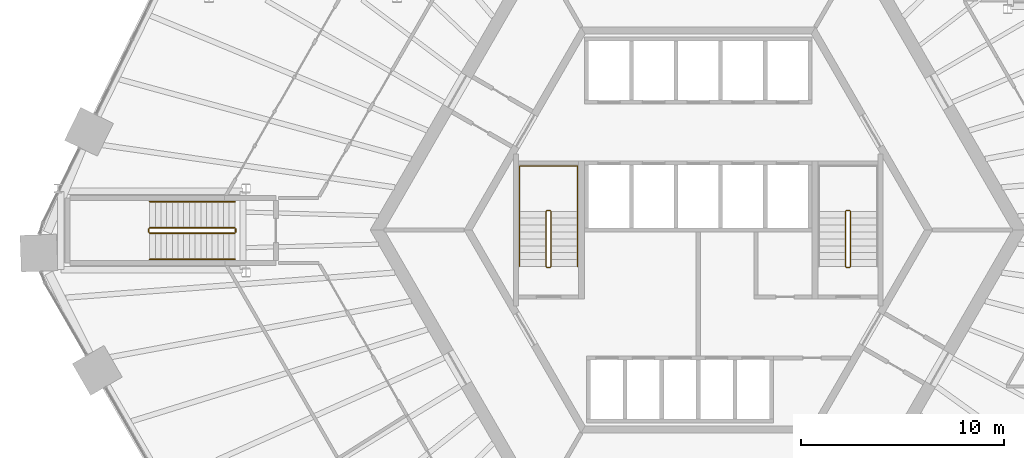
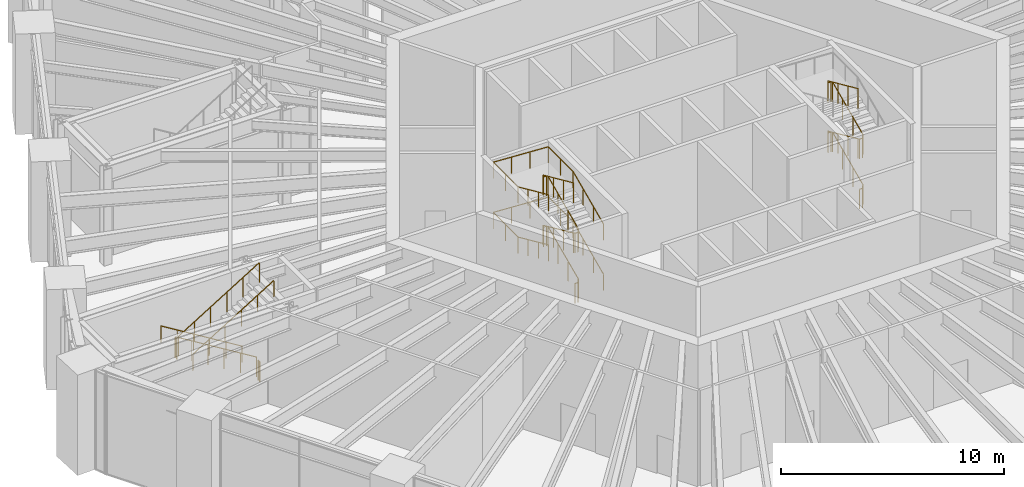
# One storey, part 27 of 30: 10 railings.
"""IFC4 building model written with IfcOpenShell, lengths in metres."""

import ifcopenshell
import ifcopenshell.guid

model = None  # the IFC model being written
_history = None  # IfcOwnerHistory: only IFC2X3 demands one
_inside = {}  # id of a spatial element -> (the spatial element, [elements in it])
_under = {}  # id of a project, library or spatial element -> (it, [spatial elements below it])
_declared = {}  # id of a project -> (the project, [libraries it declares])
_typed = {}  # id of a type object -> (the type object, [elements of that type])
_made_of = {}  # id of a material, layer set ... -> (it, [elements and type objects made of it])


def new_model(schema):
    """Start an empty IFC model of exactly this schema.

    Asked for "IFC4X3", IfcOpenShell would pick the latest addendum, in which some entities
    have other attributes; the version numbers below select the first issue.
    IFC2X3 requires an IfcOwnerHistory on every rooted entity: one is made here for all.
    """
    global model, _history
    if schema == "IFC4X3":
        model = ifcopenshell.file(schema_version=(4, 3, 0, 0))
    else:
        model = ifcopenshell.file(schema=schema)
    _inside.clear()
    _under.clear()
    _declared.clear()
    _typed.clear()
    _made_of.clear()
    _history = None
    if model.schema == "IFC2X3":
        org = make("IfcOrganization", Name="unknown")
        user = make(
            "IfcPersonAndOrganization",
            ThePerson=make("IfcPerson", FamilyName="unknown"),
            TheOrganization=org,
        )
        app = make(
            "IfcApplication",
            ApplicationDeveloper=org,
            Version="unknown",
            ApplicationFullName="unknown",
            ApplicationIdentifier="unknown",
        )
        _history = make(
            "IfcOwnerHistory",
            OwningUser=user,
            OwningApplication=app,
            ChangeAction="ADDED",
            CreationDate=0,
        )
    return model


def make(cls, **values):
    """One entity of the class cls with the attributes given. An attribute that is None is left unset."""
    return model.create_entity(
        cls, **{name: value for name, value in values.items() if value is not None}
    )


def rooted(cls, **values):
    """An entity with a GlobalId (a new one), such as an element, a storey or a relation."""
    return make(cls, GlobalId=ifcopenshell.guid.new(), OwnerHistory=_history, **values)


def si_unit(unit_type, name, prefix=None):
    """IfcSIUnit, for example si_unit("LENGTHUNIT", "METRE", prefix="MILLI")."""
    return make("IfcSIUnit", UnitType=unit_type, Prefix=prefix, Name=name)


def assignment(units):
    """IfcUnitAssignment: the units of a project."""
    return None if units is None else make("IfcUnitAssignment", Units=units)


def point(xyz):
    """IfcCartesianPoint."""
    return None if xyz is None else make("IfcCartesianPoint", Coordinates=xyz)


def direction(xyz):
    """IfcDirection."""
    return None if xyz is None else make("IfcDirection", DirectionRatios=xyz)


def frame(location, z_axis=None, x_axis=None):
    """IfcAxis2Placement3D, a coordinate frame: its origin and axes. An axis left out is left unset."""
    return make(
        "IfcAxis2Placement3D",
        Location=point(location),
        Axis=direction(z_axis),
        RefDirection=direction(x_axis),
    )


def frame_2d(location, x_axis=None):
    """IfcAxis2Placement2D, a coordinate frame in the plane: its origin and x axis."""
    return make(
        "IfcAxis2Placement2D", Location=point(location), RefDirection=direction(x_axis)
    )


def origin():
    """The frame at (0, 0, 0) with its axes left unset."""
    return frame((0.0, 0.0, 0.0))


def origin_2d():
    """The frame at (0, 0) in the plane with its x axis left unset."""
    return frame_2d((0.0, 0.0))


def place(relative_to, where):
    """IfcLocalPlacement: puts the frame where relative to a parent placement (None: the world)."""
    return make(
        "IfcLocalPlacement", PlacementRelTo=relative_to, RelativePlacement=where
    )


def context(
    kind, dimensions, precision=None, world=None, true_north=None, identifier=None
):
    """IfcGeometricRepresentationContext, for example the 3D "Model" context."""
    return make(
        "IfcGeometricRepresentationContext",
        ContextIdentifier=identifier,
        ContextType=kind,
        CoordinateSpaceDimension=dimensions,
        Precision=precision,
        WorldCoordinateSystem=world,
        TrueNorth=true_north,
    )


def subcontext(parent, identifier, kind, view, scale=None):
    """IfcGeometricRepresentationSubContext, for example "Body" below "Model"."""
    return make(
        "IfcGeometricRepresentationSubContext",
        ContextIdentifier=identifier,
        ContextType=kind,
        ParentContext=parent,
        TargetScale=scale,
        TargetView=view,
    )


def project(units=None, contexts=None):
    """IfcProject with its units and contexts."""
    return rooted(
        "IfcProject",
        Name="project",
        RepresentationContexts=contexts,
        UnitsInContext=assignment(units),
    )


def spatial(cls, under=None, at=None, **own):
    """A site, building, storey or space (cls), placed at a placement, below another one or the project."""
    s = rooted(cls, ObjectPlacement=at, **own)
    if under is not None:
        _under.setdefault(under.id(), (under, []))[1].append(s)
    return s


def profile(cls, at=None, kind="AREA", **sizes):
    """A parametric profile (cls). Its sizes go by their IFC names, for example OverallWidth=200.0."""
    return make(cls, ProfileType=kind, Position=at, **sizes)


def circle(**sizes):
    """IfcCircleProfileDef."""
    return profile("IfcCircleProfileDef", **sizes)


def extrude(swept, where, along, depth):
    """IfcExtrudedAreaSolid: the profile swept, set in the frame where, extruded along a direction by depth."""
    return make(
        "IfcExtrudedAreaSolid",
        SweptArea=swept,
        Position=where,
        ExtrudedDirection=direction(along),
        Depth=depth,
    )


def shape(context_of_items, identifier, shape_type, items):
    """IfcShapeRepresentation: the items that make up one representation, for example the "Body"."""
    return make(
        "IfcShapeRepresentation",
        ContextOfItems=context_of_items,
        RepresentationIdentifier=identifier,
        RepresentationType=shape_type,
        Items=items,
    )


def material(Name=None, Category=None):
    """IfcMaterial."""
    return make("IfcMaterial", Name=Name, Category=Category)


def made_of(thing, what):
    """Note that an element or type object is made of a material, layer set ...; save() writes the relation."""
    if what is not None:
        _made_of.setdefault(what.id(), (what, []))[1].append(thing)
    return thing


def type_object(cls, material=None, **own):
    """A type object (cls), such as IfcWallType, which elements share."""
    return made_of(rooted(cls, **own), material)


def element(
    cls,
    number,
    at=None,
    inside=None,
    cuts=None,
    type_object=None,
    material=None,
    context=None,
    identifier="Body",
    shape_type=None,
    held_by="IfcProductDefinitionShape",
    body=None,
    shapes=None,
    **own,
):
    """One element of the class cls, such as IfcWall. Its Tag is "e" and its number.

    at: its placement. inside: the storey or other place that contains it. cuts: it is an
    opening in that element (IfcRelVoidsElement). A single representation is given by context,
    identifier, shape_type and body (its items); several are given by shapes. held_by: the class
    of the entity that holds the representations. save() writes the other relations.
    """
    e = rooted(cls, Tag="e%d" % number, ObjectPlacement=at, **own)
    if body is not None:
        shapes = [shape(context, identifier, shape_type, body)]
    if shapes is not None:
        e.Representation = make(held_by, Representations=shapes)
    if inside is not None:
        _inside.setdefault(inside.id(), (inside, []))[1].append(e)
    if cuts is not None:
        rooted(
            "IfcRelVoidsElement", RelatingBuildingElement=cuts, RelatedOpeningElement=e
        )
    if type_object is not None:
        _typed.setdefault(type_object.id(), (type_object, []))[1].append(e)
    return made_of(e, material)


def aggregate(whole, parts):
    """IfcRelAggregates: a whole, such as a stair, and the parts it consists of."""
    return rooted("IfcRelAggregates", RelatingObject=whole, RelatedObjects=parts)


def save(model, path):
    """Write the relations noted so far, then the file.

    IfcRelAggregates (storeys below a building ...), IfcRelContainedInSpatialStructure (elements
    in a storey), IfcRelDefinesByType, IfcRelAssociatesMaterial and IfcRelDeclares: one each for
    every whole, place, type object, material and project.
    """
    for whole, parts in _under.values():
        aggregate(whole, parts)
    for where, things in _inside.values():
        rooted(
            "IfcRelContainedInSpatialStructure",
            RelatedElements=things,
            RelatingStructure=where,
        )
    for kind, things in _typed.values():
        rooted("IfcRelDefinesByType", RelatedObjects=things, RelatingType=kind)
    for what, things in _made_of.values():
        rooted("IfcRelAssociatesMaterial", RelatedObjects=things, RelatingMaterial=what)
    for by, libraries in _declared.values():
        rooted("IfcRelDeclares", RelatingContext=by, RelatedDefinitions=libraries)
    model.write(path)


model = new_model("IFC4")

# Units and contexts
model_context = context("Model", 3, precision=1e-05, world=origin(), true_north=direction((0.0, 1.0)))
body_context = subcontext(model_context, "Body", "Model", "MODEL_VIEW")
ifc_project = project(units=[si_unit("LENGTHUNIT", "METRE"), si_unit("AREAUNIT", "SQUARE_METRE"), si_unit("VOLUMEUNIT", "CUBIC_METRE"), si_unit("PLANEANGLEUNIT", "RADIAN"), si_unit("MASSUNIT", "GRAM", prefix="KILO")], contexts=[model_context])

# Site, building, storey
site_placement = place(None, origin())
site = spatial("IfcSite", under=ifc_project, at=site_placement, CompositionType="ELEMENT")
building_placement = place(site_placement, origin())
building = spatial("IfcBuilding", under=site, at=building_placement, Name="Tarnside Tower", CompositionType="ELEMENT")
storey_placement = place(building_placement, frame((0.0, 0.0, 15.0)))
storey = spatial("IfcBuildingStorey", under=building, at=storey_placement, Name="L02", CompositionType="ELEMENT", Elevation=15.0)

# Railings
ifc_material = material(Name="Stainless steel", Category="steel")
railing_type_1 = type_object("IfcRailingType", Name="Podium stair guard 1100", PredefinedType="GUARDRAIL", material=ifc_material)
railing_1_placement = place(storey_placement, frame((-22.830078125, 0.10009765625, 0.171875)))
element("IfcRailing", 1, at=railing_1_placement, inside=storey, type_object=railing_type_1, Name="L02 PS2 stair guard 1", PredefinedType="GUARDRAIL", context=body_context, shape_type="SweptSolid", body=[
    extrude(circle(Radius=0.02392578125, at=origin_2d()), frame((0.0, 0.0, 1.076171875), z_axis=(-0.852242915053, 0.0, 0.523146264196), x_axis=(0.0, -1.0, 0.0)), (0.0, 0.0, 1.0), 4.92822265625),
    extrude(circle(Radius=0.02099609375, at=origin_2d()), origin(), (0.0, 0.0, 1.0), 1.052001953125),
    extrude(circle(Radius=0.02099609375, at=origin_2d()), frame((-0.840087890625, 0.0, 0.515625)), (0.0, 0.0, 1.0), 1.052001953125),
    extrude(circle(Radius=0.02099609375, at=origin_2d()), frame((-1.679931640625, 0.0, 1.03125)), (0.0, 0.0, 1.0), 1.052001953125),
    extrude(circle(Radius=0.02099609375, at=origin_2d()), frame((-2.52001953125, 0.0, 1.546875)), (0.0, 0.0, 1.0), 1.052001953125),
    extrude(circle(Radius=0.02099609375, at=origin_2d()), frame((-3.35986328125, 0.0, 2.0625)), (0.0, 0.0, 1.0), 1.052001953125),
    extrude(circle(Radius=0.02099609375, at=origin_2d()), frame((-4.199951171875, 0.0, 2.578125)), (0.0, 0.0, 1.0), 1.052001953125),
])
railing_2_placement = place(storey_placement, frame((-27.080078125, 0.050048828125, 2.75)))
element("IfcRailing", 2, at=railing_2_placement, inside=storey, type_object=railing_type_1, Name="L02 PS2 stair guard 2", PredefinedType="GUARDRAIL", context=body_context, shape_type="SweptSolid", body=[
    extrude(circle(Radius=0.02392578125, at=origin_2d()), frame((0.0, 0.0, 1.076171875), z_axis=(0.0, -1.0, 0.0), x_axis=(1.0, 0.0, 0.0)), (0.0, 0.0, 1.0), 0.150146484375),
    extrude(circle(Radius=0.02099609375, at=origin_2d()), origin(), (0.0, 0.0, 1.0), 1.052001953125),
    extrude(circle(Radius=0.02099609375, at=origin_2d()), frame((0.0, -0.150146484375, 0.0)), (0.0, 0.0, 1.0), 1.052001953125),
])
railing_3_placement = place(storey_placement, frame((-27.030029296875, -0.14990234375, 2.921875)))
element("IfcRailing", 3, at=railing_3_placement, inside=storey, type_object=railing_type_1, Name="L02 PS2 stair guard 3", PredefinedType="GUARDRAIL", context=body_context, shape_type="SweptSolid", body=[
    extrude(circle(Radius=0.02392578125, at=origin_2d()), frame((0.0, 0.0, 1.076171875), z_axis=(0.852242915053, 0.0, 0.523146264196), x_axis=(0.0, 1.0, 0.0)), (0.0, 0.0, 1.0), 4.92822265625),
    extrude(circle(Radius=0.02099609375, at=origin_2d()), origin(), (0.0, 0.0, 1.0), 1.052001953125),
    extrude(circle(Radius=0.02099609375, at=origin_2d()), frame((0.840087890625, 0.0, 0.515625)), (0.0, 0.0, 1.0), 1.052001953125),
    extrude(circle(Radius=0.02099609375, at=origin_2d()), frame((1.679931640625, 0.0, 1.03125)), (0.0, 0.0, 1.0), 1.052001953125),
    extrude(circle(Radius=0.02099609375, at=origin_2d()), frame((2.52001953125, 0.0, 1.546875)), (0.0, 0.0, 1.0), 1.052001953125),
    extrude(circle(Radius=0.02099609375, at=origin_2d()), frame((3.35986328125, 0.0, 2.0625)), (0.0, 0.0, 1.0), 1.052001953125),
    extrude(circle(Radius=0.02099609375, at=origin_2d()), frame((4.199951171875, 0.0, 2.578125)), (0.0, 0.0, 1.0), 1.052001953125),
])
railing_4_placement = place(storey_placement, frame((-22.780029296875, 0.050048828125, 0.0)))
element("IfcRailing", 4, at=railing_4_placement, inside=storey, type_object=railing_type_1, Name="L02 PS2 stair guard 4", PredefinedType="GUARDRAIL", context=body_context, shape_type="SweptSolid", body=[
    extrude(circle(Radius=0.02392578125, at=origin_2d()), frame((0.0, 0.0, 1.076171875), z_axis=(0.0, -1.0, 0.0), x_axis=(1.0, 0.0, 0.0)), (0.0, 0.0, 1.0), 0.150146484375),
    extrude(circle(Radius=0.02099609375, at=origin_2d()), origin(), (0.0, 0.0, 1.0), 1.052001953125),
    extrude(circle(Radius=0.02099609375, at=origin_2d()), frame((0.0, -0.150146484375, 0.0)), (0.0, 0.0, 1.0), 1.052001953125),
])
railing_type_2 = type_object("IfcRailingType", Name="Podium stair handrail 900", PredefinedType="HANDRAIL", material=ifc_material)
railing_5_placement = place(storey_placement, frame((-22.830078125, 1.39990234375, 0.171875)))
element("IfcRailing", 5, at=railing_5_placement, inside=storey, type_object=railing_type_2, Name="L02 PS2 stair handrail 1", PredefinedType="HANDRAIL", context=body_context, shape_type="SweptSolid", body=[
    extrude(circle(Radius=0.02392578125, at=origin_2d()), frame((0.0, 0.0, 0.8857421875), z_axis=(-0.852242915053, 0.0, 0.523146264196), x_axis=(0.0, -1.0, 0.0)), (0.0, 0.0, 1.0), 4.92822265625),
    extrude(circle(Radius=0.02099609375, at=origin_2d()), origin(), (0.0, 0.0, 1.0), 0.86181640625),
    extrude(circle(Radius=0.02099609375, at=origin_2d()), frame((-0.840087890625, 0.0, 0.515625)), (0.0, 0.0, 1.0), 0.86181640625),
    extrude(circle(Radius=0.02099609375, at=origin_2d()), frame((-1.679931640625, 0.0, 1.03125)), (0.0, 0.0, 1.0), 0.86181640625),
    extrude(circle(Radius=0.02099609375, at=origin_2d()), frame((-2.52001953125, 0.0, 1.546875)), (0.0, 0.0, 1.0), 0.86181640625),
    extrude(circle(Radius=0.02099609375, at=origin_2d()), frame((-3.35986328125, 0.0, 2.0625)), (0.0, 0.0, 1.0), 0.86181640625),
    extrude(circle(Radius=0.02099609375, at=origin_2d()), frame((-4.199951171875, 0.0, 2.578125)), (0.0, 0.0, 1.0), 0.86181640625),
])
railing_6_placement = place(storey_placement, frame((-27.030029296875, -1.449951171875, 2.921875)))
element("IfcRailing", 6, at=railing_6_placement, inside=storey, type_object=railing_type_2, Name="L02 PS2 stair handrail 2", PredefinedType="HANDRAIL", context=body_context, shape_type="SweptSolid", body=[
    extrude(circle(Radius=0.02392578125, at=origin_2d()), frame((0.0, 0.0, 0.8857421875), z_axis=(0.852242915053, 0.0, 0.523146264196), x_axis=(0.0, 1.0, 0.0)), (0.0, 0.0, 1.0), 4.92822265625),
    extrude(circle(Radius=0.02099609375, at=origin_2d()), origin(), (0.0, 0.0, 1.0), 0.86181640625),
    extrude(circle(Radius=0.02099609375, at=origin_2d()), frame((0.840087890625, 0.0, 0.515625)), (0.0, 0.0, 1.0), 0.86181640625),
    extrude(circle(Radius=0.02099609375, at=origin_2d()), frame((1.679931640625, 0.0, 1.03125)), (0.0, 0.0, 1.0), 0.86181640625),
    extrude(circle(Radius=0.02099609375, at=origin_2d()), frame((2.52001953125, 0.0, 1.546875)), (0.0, 0.0, 1.0), 0.86181640625),
    extrude(circle(Radius=0.02099609375, at=origin_2d()), frame((3.35986328125, 0.0, 2.0625)), (0.0, 0.0, 1.0), 0.86181640625),
    extrude(circle(Radius=0.02099609375, at=origin_2d()), frame((4.199951171875, 0.0, 2.578125)), (0.0, 0.0, 1.0), 0.86181640625),
])
railing_type_3 = type_object("IfcRailingType", Name="Stair guard 1100", PredefinedType="GUARDRAIL", material=ifc_material)
railing_7_placement = place(storey_placement, frame((7.300048828125, -1.85009765625, 0.0)))
element("IfcRailing", 7, at=railing_7_placement, inside=storey, type_object=railing_type_3, Name="L02 ST1 stair guard 1", PredefinedType="GUARDRAIL", context=body_context, shape_type="SweptSolid", body=[
    extrude(circle(Radius=0.02392578125, at=origin_2d()), frame((0.0, 0.0, 1.076171875), z_axis=(1.0, 0.0, 0.0), x_axis=(0.0, 1.0, 0.0)), (0.0, 0.0, 1.0), 0.14990234375),
    extrude(circle(Radius=0.02392578125, at=origin_2d()), frame((0.14990234375, 0.0, 1.076171875), z_axis=(0.297155754911, 0.297155754911, 0.90741220768), x_axis=(-0.707106781187, 0.707106781187, 0.0)), (0.0, 0.0, 1.0), 0.16845703125),
    extrude(circle(Radius=0.02392578125, at=origin_2d()), frame((0.199951171875, 0.050048828125, 1.22900390625), z_axis=(0.0, 0.912149621895, 0.409857374312), x_axis=(-1.0, 0.0, 0.0)), (0.0, 0.0, 1.0), 2.98193359375),
    extrude(circle(Radius=0.02392578125, at=origin_2d()), frame((0.199951171875, 2.77001953125, 2.451171875), z_axis=(-0.707106781187, 0.707106781187, 0.0), x_axis=(-0.707106781187, -0.707106781187, 0.0)), (0.0, 0.0, 1.0), 0.07080078125),
    extrude(circle(Radius=0.02392578125, at=origin_2d()), frame((0.14990234375, 2.820068359375, 2.451171875), z_axis=(-1.0, 0.0, 0.0), x_axis=(0.0, -1.0, 0.0)), (0.0, 0.0, 1.0), 0.14990234375),
    extrude(circle(Radius=0.02392578125, at=origin_2d()), frame((0.0, 2.820068359375, 2.451171875), z_axis=(-0.297155754911, -0.297155754911, 0.90741220768), x_axis=(0.707106781187, -0.707106781187, 0.0)), (0.0, 0.0, 1.0), 0.16845703125),
    extrude(circle(Radius=0.02392578125, at=origin_2d()), frame((-0.050048828125, 2.77001953125, 2.60400390625), z_axis=(0.0, -0.912149621895, 0.409857374312), x_axis=(1.0, 0.0, 0.0)), (0.0, 0.0, 1.0), 2.98193359375),
    extrude(circle(Radius=0.02392578125, at=origin_2d()), frame((-0.050048828125, 0.050048828125, 3.826171875), z_axis=(0.707106781187, -0.707106781187, 0.0), x_axis=(0.707106781187, 0.707106781187, 0.0)), (0.0, 0.0, 1.0), 0.07080078125),
    extrude(circle(Radius=0.02392578125, at=origin_2d()), frame((0.0, 0.0, 3.826171875), z_axis=(1.0, 0.0, 0.0), x_axis=(0.0, 1.0, 0.0)), (0.0, 0.0, 1.0), 0.14990234375),
    extrude(circle(Radius=0.02392578125, at=origin_2d()), frame((0.14990234375, 0.0, 3.826171875), z_axis=(0.297155754911, 0.297155754911, 0.90741220768), x_axis=(-0.707106781187, 0.707106781187, 0.0)), (0.0, 0.0, 1.0), 0.16845703125),
    extrude(circle(Radius=0.02392578125, at=origin_2d()), frame((0.199951171875, 0.050048828125, 3.97900390625), z_axis=(0.0, 0.912149621895, 0.409857374312), x_axis=(-1.0, 0.0, 0.0)), (0.0, 0.0, 1.0), 2.98193359375),
    extrude(circle(Radius=0.02392578125, at=origin_2d()), frame((0.199951171875, 2.77001953125, 5.201171875), z_axis=(-0.707106781187, 0.707106781187, 0.0), x_axis=(-0.707106781187, -0.707106781187, 0.0)), (0.0, 0.0, 1.0), 0.07080078125),
    extrude(circle(Radius=0.02392578125, at=origin_2d()), frame((0.14990234375, 2.820068359375, 5.201171875), z_axis=(-1.0, 0.0, 0.0), x_axis=(0.0, -1.0, 0.0)), (0.0, 0.0, 1.0), 0.14990234375),
    extrude(circle(Radius=0.02392578125, at=origin_2d()), frame((0.0, 2.820068359375, 5.201171875), z_axis=(-0.297155754911, -0.297155754911, 0.90741220768), x_axis=(0.707106781187, -0.707106781187, 0.0)), (0.0, 0.0, 1.0), 0.16845703125),
    extrude(circle(Radius=0.02392578125, at=origin_2d()), frame((-0.050048828125, 2.77001953125, 5.35400390625), z_axis=(0.0, -0.912149621895, 0.409857374312), x_axis=(1.0, 0.0, 0.0)), (0.0, 0.0, 1.0), 2.98193359375),
    extrude(circle(Radius=0.02099609375, at=origin_2d()), origin(), (0.0, 0.0, 1.0), 1.052001953125),
    extrude(circle(Radius=0.02099609375, at=origin_2d()), frame((0.14990234375, 0.0, 0.0)), (0.0, 0.0, 1.0), 1.052001953125),
    extrude(circle(Radius=0.02099609375, at=origin_2d()), frame((0.199951171875, 0.050048828125, 0.15283203125)), (0.0, 0.0, 1.0), 1.052001953125),
    extrude(circle(Radius=0.02099609375, at=origin_2d()), frame((0.199951171875, 0.956787109375, 0.560302734375)), (0.0, 0.0, 1.0), 1.052001953125),
    extrude(circle(Radius=0.02099609375, at=origin_2d()), frame((0.199951171875, 1.86328125, 0.967529296875)), (0.0, 0.0, 1.0), 1.052001953125),
    extrude(circle(Radius=0.02099609375, at=origin_2d()), frame((0.199951171875, 2.77001953125, 1.375)), (0.0, 0.0, 1.0), 1.052001953125),
    extrude(circle(Radius=0.02099609375, at=origin_2d()), frame((0.14990234375, 2.820068359375, 1.375)), (0.0, 0.0, 1.0), 1.052001953125),
    extrude(circle(Radius=0.02099609375, at=origin_2d()), frame((0.0, 2.820068359375, 1.375)), (0.0, 0.0, 1.0), 1.052001953125),
    extrude(circle(Radius=0.02099609375, at=origin_2d()), frame((-0.050048828125, 2.77001953125, 1.52783203125)), (0.0, 0.0, 1.0), 1.052001953125),
    extrude(circle(Radius=0.02099609375, at=origin_2d()), frame((-0.050048828125, 1.86328125, 1.935302734375)), (0.0, 0.0, 1.0), 1.052001953125),
    extrude(circle(Radius=0.02099609375, at=origin_2d()), frame((-0.050048828125, 0.956787109375, 2.342529296875)), (0.0, 0.0, 1.0), 1.052001953125),
    extrude(circle(Radius=0.02099609375, at=origin_2d()), frame((-0.050048828125, 0.050048828125, 2.75)), (0.0, 0.0, 1.0), 1.052001953125),
    extrude(circle(Radius=0.02099609375, at=origin_2d()), frame((0.0, 0.0, 2.75)), (0.0, 0.0, 1.0), 1.052001953125),
    extrude(circle(Radius=0.02099609375, at=origin_2d()), frame((0.14990234375, 0.0, 2.75)), (0.0, 0.0, 1.0), 1.052001953125),
    extrude(circle(Radius=0.02099609375, at=origin_2d()), frame((0.199951171875, 0.050048828125, 2.90283203125)), (0.0, 0.0, 1.0), 1.052001953125),
    extrude(circle(Radius=0.02099609375, at=origin_2d()), frame((0.199951171875, 0.956787109375, 3.310302734375)), (0.0, 0.0, 1.0), 1.052001953125),
    extrude(circle(Radius=0.02099609375, at=origin_2d()), frame((0.199951171875, 1.86328125, 3.717529296875)), (0.0, 0.0, 1.0), 1.052001953125),
    extrude(circle(Radius=0.02099609375, at=origin_2d()), frame((0.199951171875, 2.77001953125, 4.125)), (0.0, 0.0, 1.0), 1.052001953125),
    extrude(circle(Radius=0.02099609375, at=origin_2d()), frame((0.14990234375, 2.820068359375, 4.125)), (0.0, 0.0, 1.0), 1.052001953125),
    extrude(circle(Radius=0.02099609375, at=origin_2d()), frame((0.0, 2.820068359375, 4.125)), (0.0, 0.0, 1.0), 1.052001953125),
    extrude(circle(Radius=0.02099609375, at=origin_2d()), frame((-0.050048828125, 2.77001953125, 4.27783203125)), (0.0, 0.0, 1.0), 1.052001953125),
    extrude(circle(Radius=0.02099609375, at=origin_2d()), frame((-0.050048828125, 1.86328125, 4.685302734375)), (0.0, 0.0, 1.0), 1.052001953125),
    extrude(circle(Radius=0.02099609375, at=origin_2d()), frame((-0.050048828125, 0.956787109375, 5.092529296875)), (0.0, 0.0, 1.0), 1.052001953125),
    extrude(circle(Radius=0.02099609375, at=origin_2d()), frame((-0.050048828125, 0.050048828125, 5.5)), (0.0, 0.0, 1.0), 1.052001953125),
])
railing_8_placement = place(storey_placement, frame((-7.449951171875, -1.85009765625, 0.0)))
element("IfcRailing", 8, at=railing_8_placement, inside=storey, type_object=railing_type_3, Name="L02 ST2 stair guard 1", PredefinedType="GUARDRAIL", context=body_context, shape_type="SweptSolid", body=[
    extrude(circle(Radius=0.02392578125, at=origin_2d()), frame((0.0, 0.0, 1.076171875), z_axis=(1.0, 0.0, 0.0), x_axis=(0.0, 1.0, 0.0)), (0.0, 0.0, 1.0), 0.14990234375),
    extrude(circle(Radius=0.02392578125, at=origin_2d()), frame((0.14990234375, 0.0, 1.076171875), z_axis=(0.297155754911, 0.297155754911, 0.90741220768), x_axis=(-0.707106781187, 0.707106781187, 0.0)), (0.0, 0.0, 1.0), 0.16845703125),
    extrude(circle(Radius=0.02392578125, at=origin_2d()), frame((0.199951171875, 0.050048828125, 1.22900390625), z_axis=(0.0, 0.912149621895, 0.409857374312), x_axis=(-1.0, 0.0, 0.0)), (0.0, 0.0, 1.0), 2.98193359375),
    extrude(circle(Radius=0.02392578125, at=origin_2d()), frame((0.199951171875, 2.77001953125, 2.451171875), z_axis=(-0.707106781187, 0.707106781187, 0.0), x_axis=(-0.707106781187, -0.707106781187, 0.0)), (0.0, 0.0, 1.0), 0.07080078125),
    extrude(circle(Radius=0.02392578125, at=origin_2d()), frame((0.14990234375, 2.820068359375, 2.451171875), z_axis=(-1.0, 0.0, 0.0), x_axis=(0.0, -1.0, 0.0)), (0.0, 0.0, 1.0), 0.14990234375),
    extrude(circle(Radius=0.02392578125, at=origin_2d()), frame((0.0, 2.820068359375, 2.451171875), z_axis=(-0.297155754911, -0.297155754911, 0.90741220768), x_axis=(0.707106781187, -0.707106781187, 0.0)), (0.0, 0.0, 1.0), 0.16845703125),
    extrude(circle(Radius=0.02392578125, at=origin_2d()), frame((-0.050048828125, 2.77001953125, 2.60400390625), z_axis=(0.0, -0.912149621895, 0.409857374312), x_axis=(1.0, 0.0, 0.0)), (0.0, 0.0, 1.0), 2.98193359375),
    extrude(circle(Radius=0.02392578125, at=origin_2d()), frame((-0.050048828125, 0.050048828125, 3.826171875), z_axis=(0.707106781187, -0.707106781187, 0.0), x_axis=(0.707106781187, 0.707106781187, 0.0)), (0.0, 0.0, 1.0), 0.07080078125),
    extrude(circle(Radius=0.02392578125, at=origin_2d()), frame((0.0, 0.0, 3.826171875), z_axis=(1.0, 0.0, 0.0), x_axis=(0.0, 1.0, 0.0)), (0.0, 0.0, 1.0), 0.14990234375),
    extrude(circle(Radius=0.02392578125, at=origin_2d()), frame((0.14990234375, 0.0, 3.826171875), z_axis=(0.297155754911, 0.297155754911, 0.90741220768), x_axis=(-0.707106781187, 0.707106781187, 0.0)), (0.0, 0.0, 1.0), 0.16845703125),
    extrude(circle(Radius=0.02392578125, at=origin_2d()), frame((0.199951171875, 0.050048828125, 3.97900390625), z_axis=(0.0, 0.912149621895, 0.409857374312), x_axis=(-1.0, 0.0, 0.0)), (0.0, 0.0, 1.0), 2.98193359375),
    extrude(circle(Radius=0.02392578125, at=origin_2d()), frame((0.199951171875, 2.77001953125, 5.201171875), z_axis=(-0.707106781187, 0.707106781187, 0.0), x_axis=(-0.707106781187, -0.707106781187, 0.0)), (0.0, 0.0, 1.0), 0.07080078125),
    extrude(circle(Radius=0.02392578125, at=origin_2d()), frame((0.14990234375, 2.820068359375, 5.201171875), z_axis=(-1.0, 0.0, 0.0), x_axis=(0.0, -1.0, 0.0)), (0.0, 0.0, 1.0), 0.14990234375),
    extrude(circle(Radius=0.02392578125, at=origin_2d()), frame((0.0, 2.820068359375, 5.201171875), z_axis=(-0.297155754911, -0.297155754911, 0.90741220768), x_axis=(0.707106781187, -0.707106781187, 0.0)), (0.0, 0.0, 1.0), 0.16845703125),
    extrude(circle(Radius=0.02392578125, at=origin_2d()), frame((-0.050048828125, 2.77001953125, 5.35400390625), z_axis=(0.0, -0.912149621895, 0.409857374312), x_axis=(1.0, 0.0, 0.0)), (0.0, 0.0, 1.0), 2.98193359375),
    extrude(circle(Radius=0.02099609375, at=origin_2d()), origin(), (0.0, 0.0, 1.0), 1.052001953125),
    extrude(circle(Radius=0.02099609375, at=origin_2d()), frame((0.14990234375, 0.0, 0.0)), (0.0, 0.0, 1.0), 1.052001953125),
    extrude(circle(Radius=0.02099609375, at=origin_2d()), frame((0.199951171875, 0.050048828125, 0.15283203125)), (0.0, 0.0, 1.0), 1.052001953125),
    extrude(circle(Radius=0.02099609375, at=origin_2d()), frame((0.199951171875, 0.956787109375, 0.560302734375)), (0.0, 0.0, 1.0), 1.052001953125),
    extrude(circle(Radius=0.02099609375, at=origin_2d()), frame((0.199951171875, 1.86328125, 0.967529296875)), (0.0, 0.0, 1.0), 1.052001953125),
    extrude(circle(Radius=0.02099609375, at=origin_2d()), frame((0.199951171875, 2.77001953125, 1.375)), (0.0, 0.0, 1.0), 1.052001953125),
    extrude(circle(Radius=0.02099609375, at=origin_2d()), frame((0.14990234375, 2.820068359375, 1.375)), (0.0, 0.0, 1.0), 1.052001953125),
    extrude(circle(Radius=0.02099609375, at=origin_2d()), frame((0.0, 2.820068359375, 1.375)), (0.0, 0.0, 1.0), 1.052001953125),
    extrude(circle(Radius=0.02099609375, at=origin_2d()), frame((-0.050048828125, 2.77001953125, 1.52783203125)), (0.0, 0.0, 1.0), 1.052001953125),
    extrude(circle(Radius=0.02099609375, at=origin_2d()), frame((-0.050048828125, 1.86328125, 1.935302734375)), (0.0, 0.0, 1.0), 1.052001953125),
    extrude(circle(Radius=0.02099609375, at=origin_2d()), frame((-0.050048828125, 0.956787109375, 2.342529296875)), (0.0, 0.0, 1.0), 1.052001953125),
    extrude(circle(Radius=0.02099609375, at=origin_2d()), frame((-0.050048828125, 0.050048828125, 2.75)), (0.0, 0.0, 1.0), 1.052001953125),
    extrude(circle(Radius=0.02099609375, at=origin_2d()), frame((0.0, 0.0, 2.75)), (0.0, 0.0, 1.0), 1.052001953125),
    extrude(circle(Radius=0.02099609375, at=origin_2d()), frame((0.14990234375, 0.0, 2.75)), (0.0, 0.0, 1.0), 1.052001953125),
    extrude(circle(Radius=0.02099609375, at=origin_2d()), frame((0.199951171875, 0.050048828125, 2.90283203125)), (0.0, 0.0, 1.0), 1.052001953125),
    extrude(circle(Radius=0.02099609375, at=origin_2d()), frame((0.199951171875, 0.956787109375, 3.310302734375)), (0.0, 0.0, 1.0), 1.052001953125),
    extrude(circle(Radius=0.02099609375, at=origin_2d()), frame((0.199951171875, 1.86328125, 3.717529296875)), (0.0, 0.0, 1.0), 1.052001953125),
    extrude(circle(Radius=0.02099609375, at=origin_2d()), frame((0.199951171875, 2.77001953125, 4.125)), (0.0, 0.0, 1.0), 1.052001953125),
    extrude(circle(Radius=0.02099609375, at=origin_2d()), frame((0.14990234375, 2.820068359375, 4.125)), (0.0, 0.0, 1.0), 1.052001953125),
    extrude(circle(Radius=0.02099609375, at=origin_2d()), frame((0.0, 2.820068359375, 4.125)), (0.0, 0.0, 1.0), 1.052001953125),
    extrude(circle(Radius=0.02099609375, at=origin_2d()), frame((-0.050048828125, 2.77001953125, 4.27783203125)), (0.0, 0.0, 1.0), 1.052001953125),
    extrude(circle(Radius=0.02099609375, at=origin_2d()), frame((-0.050048828125, 1.86328125, 4.685302734375)), (0.0, 0.0, 1.0), 1.052001953125),
    extrude(circle(Radius=0.02099609375, at=origin_2d()), frame((-0.050048828125, 0.956787109375, 5.092529296875)), (0.0, 0.0, 1.0), 1.052001953125),
    extrude(circle(Radius=0.02099609375, at=origin_2d()), frame((-0.050048828125, 0.050048828125, 5.5)), (0.0, 0.0, 1.0), 1.052001953125),
])
railing_type_4 = type_object("IfcRailingType", Name="Stair handrail 900", PredefinedType="HANDRAIL", material=ifc_material)
railing_9_placement = place(storey_placement, frame((-5.949951171875, -1.800048828125, 0.15283203125)))
element("IfcRailing", 9, at=railing_9_placement, inside=storey, type_object=railing_type_4, Name="L02 ST2 stair handrail 1", PredefinedType="HANDRAIL", context=body_context, shape_type="SweptSolid", body=[
    extrude(circle(Radius=0.02392578125, at=origin_2d()), frame((0.0, 0.0, 0.8857421875), z_axis=(0.0, 0.912149621895, 0.409857374312), x_axis=(-1.0, 0.0, 0.0)), (0.0, 0.0, 1.0), 2.98193359375),
    extrude(circle(Radius=0.02392578125, at=origin_2d()), frame((0.0, 2.719970703125, 2.10791015625), z_axis=(0.0, 1.0, 0.0), x_axis=(-1.0, 0.0, 0.0)), (0.0, 0.0, 1.0), 2.22998046875),
    extrude(circle(Radius=0.02392578125, at=origin_2d()), frame((0.0, 4.949951171875, 2.10791015625), z_axis=(-0.998565356737, 0.0, 0.053546506195), x_axis=(0.0, -1.0, 0.0)), (0.0, 0.0, 1.0), 2.854248046875),
    extrude(circle(Radius=0.02392578125, at=origin_2d()), frame((-2.85009765625, 4.949951171875, 2.2607421875), z_axis=(0.0, -1.0, 0.0), x_axis=(1.0, 0.0, 0.0)), (0.0, 0.0, 1.0), 2.22998046875),
    extrude(circle(Radius=0.02392578125, at=origin_2d()), frame((-2.85009765625, 2.719970703125, 2.2607421875), z_axis=(0.0, -0.912149621895, 0.409857374312), x_axis=(1.0, 0.0, 0.0)), (0.0, 0.0, 1.0), 2.98193359375),
    extrude(circle(Radius=0.02099609375, at=origin_2d()), origin(), (0.0, 0.0, 1.0), 0.86181640625),
    extrude(circle(Radius=0.02099609375, at=origin_2d()), frame((0.0, 0.90673828125, 0.407470703125)), (0.0, 0.0, 1.0), 0.86181640625),
    extrude(circle(Radius=0.02099609375, at=origin_2d()), frame((0.0, 1.813232421875, 0.814697265625)), (0.0, 0.0, 1.0), 0.86181640625),
    extrude(circle(Radius=0.02099609375, at=origin_2d()), frame((0.0, 2.719970703125, 1.22216796875)), (0.0, 0.0, 1.0), 0.86181640625),
    extrude(circle(Radius=0.02099609375, at=origin_2d()), frame((0.0, 3.8349609375, 1.22216796875)), (0.0, 0.0, 1.0), 0.86181640625),
    extrude(circle(Radius=0.02099609375, at=origin_2d()), frame((0.0, 4.949951171875, 1.22216796875)), (0.0, 0.0, 1.0), 0.86181640625),
    extrude(circle(Radius=0.02099609375, at=origin_2d()), frame((-0.949951171875, 4.949951171875, 1.273193359375)), (0.0, 0.0, 1.0), 0.86181640625),
    extrude(circle(Radius=0.02099609375, at=origin_2d()), frame((-1.900146484375, 4.949951171875, 1.323974609375)), (0.0, 0.0, 1.0), 0.86181640625),
    extrude(circle(Radius=0.02099609375, at=origin_2d()), frame((-2.85009765625, 4.949951171875, 1.375)), (0.0, 0.0, 1.0), 0.86181640625),
    extrude(circle(Radius=0.02099609375, at=origin_2d()), frame((-2.85009765625, 3.8349609375, 1.375)), (0.0, 0.0, 1.0), 0.86181640625),
    extrude(circle(Radius=0.02099609375, at=origin_2d()), frame((-2.85009765625, 2.719970703125, 1.375)), (0.0, 0.0, 1.0), 0.86181640625),
    extrude(circle(Radius=0.02099609375, at=origin_2d()), frame((-2.85009765625, 1.813232421875, 1.782470703125)), (0.0, 0.0, 1.0), 0.86181640625),
    extrude(circle(Radius=0.02099609375, at=origin_2d()), frame((-2.85009765625, 0.90673828125, 2.189697265625)), (0.0, 0.0, 1.0), 0.86181640625),
    extrude(circle(Radius=0.02099609375, at=origin_2d()), frame((-2.85009765625, 0.0, 2.59716796875)), (0.0, 0.0, 1.0), 0.86181640625),
])
railing_10_placement = place(storey_placement, frame((-5.949951171875, -1.800048828125, 2.90283203125)))
element("IfcRailing", 10, at=railing_10_placement, inside=storey, type_object=railing_type_4, Name="L02 ST2 stair handrail 2", PredefinedType="HANDRAIL", context=body_context, shape_type="SweptSolid", body=[
    extrude(circle(Radius=0.02392578125, at=origin_2d()), frame((0.0, 0.0, 0.8857421875), z_axis=(0.0, 0.912149621895, 0.409857374312), x_axis=(-1.0, 0.0, 0.0)), (0.0, 0.0, 1.0), 2.98193359375),
    extrude(circle(Radius=0.02392578125, at=origin_2d()), frame((0.0, 2.719970703125, 2.10791015625), z_axis=(0.0, 1.0, 0.0), x_axis=(-1.0, 0.0, 0.0)), (0.0, 0.0, 1.0), 2.22998046875),
    extrude(circle(Radius=0.02392578125, at=origin_2d()), frame((0.0, 4.949951171875, 2.10791015625), z_axis=(-0.998565356737, 0.0, 0.053546506195), x_axis=(0.0, -1.0, 0.0)), (0.0, 0.0, 1.0), 2.854248046875),
    extrude(circle(Radius=0.02392578125, at=origin_2d()), frame((-2.85009765625, 4.949951171875, 2.2607421875), z_axis=(0.0, -1.0, 0.0), x_axis=(1.0, 0.0, 0.0)), (0.0, 0.0, 1.0), 2.22998046875),
    extrude(circle(Radius=0.02392578125, at=origin_2d()), frame((-2.85009765625, 2.719970703125, 2.2607421875), z_axis=(0.0, -0.912149621895, 0.409857374312), x_axis=(1.0, 0.0, 0.0)), (0.0, 0.0, 1.0), 2.98193359375),
    extrude(circle(Radius=0.02099609375, at=origin_2d()), origin(), (0.0, 0.0, 1.0), 0.86181640625),
    extrude(circle(Radius=0.02099609375, at=origin_2d()), frame((0.0, 0.90673828125, 0.407470703125)), (0.0, 0.0, 1.0), 0.86181640625),
    extrude(circle(Radius=0.02099609375, at=origin_2d()), frame((0.0, 1.813232421875, 0.814697265625)), (0.0, 0.0, 1.0), 0.86181640625),
    extrude(circle(Radius=0.02099609375, at=origin_2d()), frame((0.0, 2.719970703125, 1.22216796875)), (0.0, 0.0, 1.0), 0.86181640625),
    extrude(circle(Radius=0.02099609375, at=origin_2d()), frame((0.0, 3.8349609375, 1.22216796875)), (0.0, 0.0, 1.0), 0.86181640625),
    extrude(circle(Radius=0.02099609375, at=origin_2d()), frame((0.0, 4.949951171875, 1.22216796875)), (0.0, 0.0, 1.0), 0.86181640625),
    extrude(circle(Radius=0.02099609375, at=origin_2d()), frame((-0.949951171875, 4.949951171875, 1.273193359375)), (0.0, 0.0, 1.0), 0.86181640625),
    extrude(circle(Radius=0.02099609375, at=origin_2d()), frame((-1.900146484375, 4.949951171875, 1.323974609375)), (0.0, 0.0, 1.0), 0.86181640625),
    extrude(circle(Radius=0.02099609375, at=origin_2d()), frame((-2.85009765625, 4.949951171875, 1.375)), (0.0, 0.0, 1.0), 0.86181640625),
    extrude(circle(Radius=0.02099609375, at=origin_2d()), frame((-2.85009765625, 3.8349609375, 1.375)), (0.0, 0.0, 1.0), 0.86181640625),
    extrude(circle(Radius=0.02099609375, at=origin_2d()), frame((-2.85009765625, 2.719970703125, 1.375)), (0.0, 0.0, 1.0), 0.86181640625),
    extrude(circle(Radius=0.02099609375, at=origin_2d()), frame((-2.85009765625, 1.813232421875, 1.782470703125)), (0.0, 0.0, 1.0), 0.86181640625),
    extrude(circle(Radius=0.02099609375, at=origin_2d()), frame((-2.85009765625, 0.90673828125, 2.189697265625)), (0.0, 0.0, 1.0), 0.86181640625),
    extrude(circle(Radius=0.02099609375, at=origin_2d()), frame((-2.85009765625, 0.0, 2.59716796875)), (0.0, 0.0, 1.0), 0.86181640625),
])

save(model, "model.ifc")
